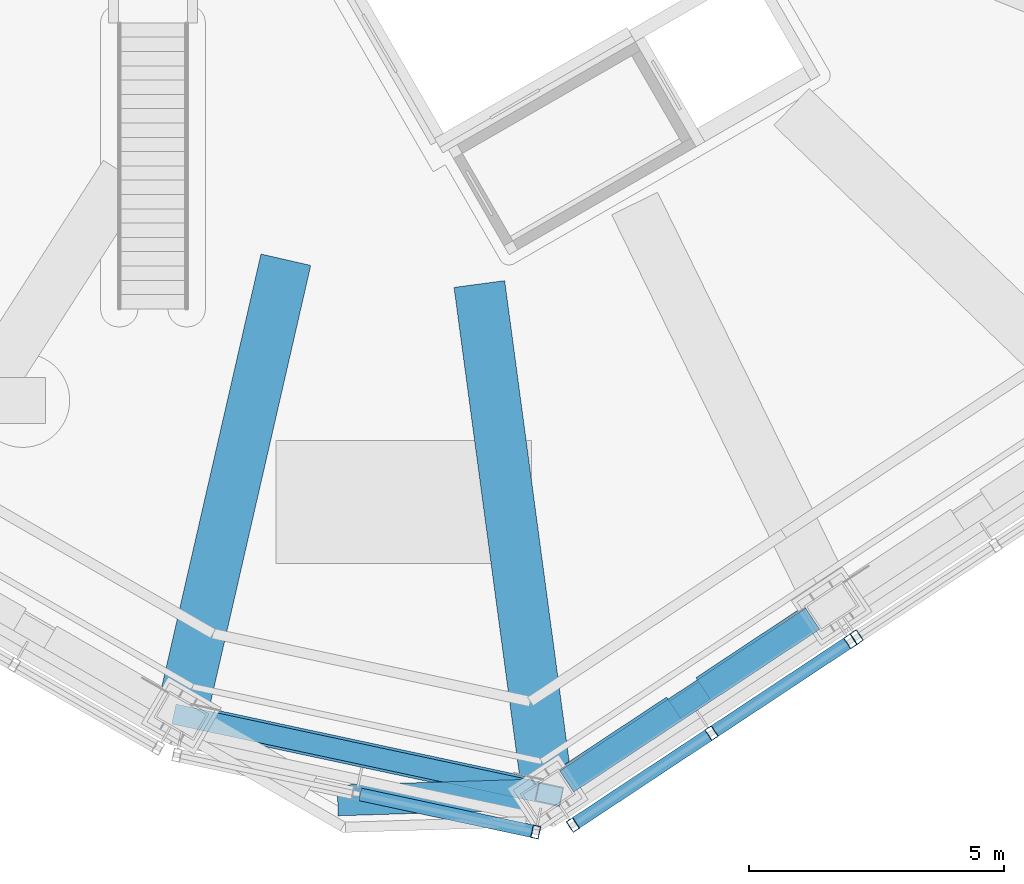
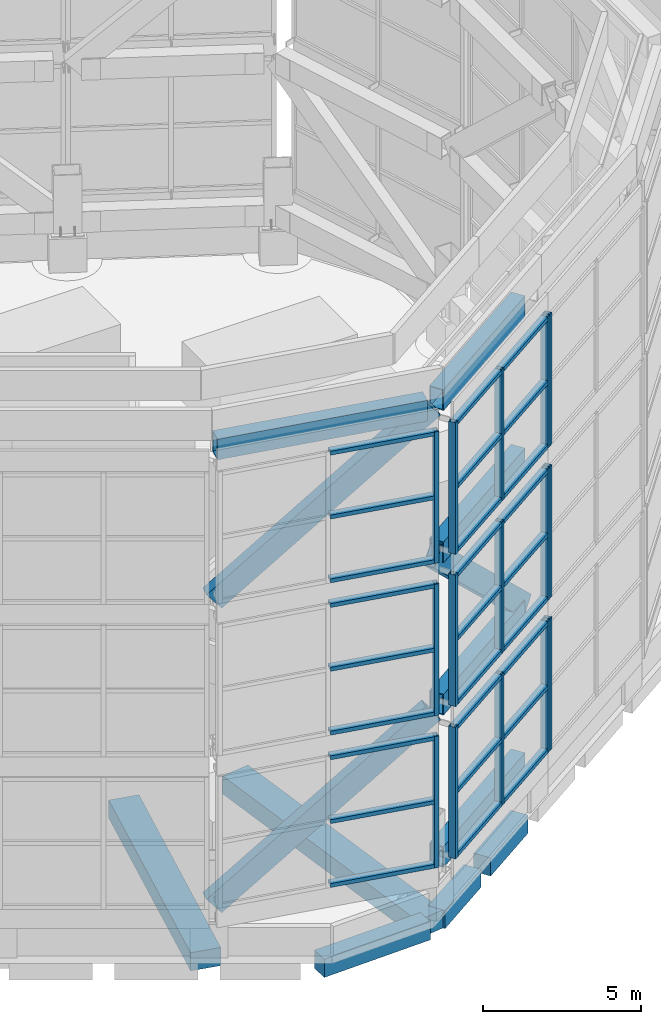
# One storey, part 5 of 46: 50 members, 5 beams, 9 elements without a shape of their own.
"""IFC4 building model written with IfcOpenShell, lengths in metres."""

from ifc_helpers import new_model, si_unit, direction, frame, origin, origin_2d, place, context, subcontext, project, spatial, rectangle, hollow_rectangle, extrude, material, material_profile, profile_set, type_object, element, aggregate, save


model = new_model("IFC4")

# Units and contexts
model_context = context("Model", 3, precision=1e-05, world=origin(), true_north=direction((0.0, 1.0)))
body_context = subcontext(model_context, "Body", "Model", "MODEL_VIEW")
ifc_project = project(units=[si_unit("LENGTHUNIT", "METRE"), si_unit("AREAUNIT", "SQUARE_METRE"), si_unit("VOLUMEUNIT", "CUBIC_METRE"), si_unit("PLANEANGLEUNIT", "RADIAN"), si_unit("MASSUNIT", "GRAM", prefix="KILO")], contexts=[model_context])

# Site, building, storey
site_placement = place(None, origin())
site = spatial("IfcSite", under=ifc_project, at=site_placement, CompositionType="ELEMENT")
building_placement = place(site_placement, origin())
building = spatial("IfcBuilding", under=site, at=building_placement, Name="Vanh Sen Convention Tower", CompositionType="ELEMENT")
storey_placement = place(building_placement, frame((0.0, 0.0, 305.0)))
storey = spatial("IfcBuildingStorey", under=building, at=storey_placement, Name="Roof level", CompositionType="ELEMENT", Elevation=305.0)

# Members
ifc_material_1 = material(Name="Steel S460", Category="steel")
ifc_material_profile_1 = material_profile(ifc_material_1, hollow_rectangle(XDim=0.39990234375, YDim=0.800048828125, WallThickness=0.02490234375, at=origin_2d()), Name="BOX 800X400X25")
ifc_profile_set_1 = profile_set([ifc_material_profile_1], Name="Steel S460")
member_type_1 = type_object("IfcMemberType", Name="Crown brace BOX 800X400X25", PredefinedType="BRACE", material=ifc_profile_set_1)
member_1_placement = place(storey_placement, frame((-4.295166015625, -19.1923828125, 1.7451171875), z_axis=(0.760688911793, -0.162767610572, 0.628378138085), x_axis=(0.209237599591, 0.977864830596, 0.0)))
element("IfcMember", 1, at=member_1_placement, inside=storey, type_object=member_type_1, Name="CROWN FRAME brace tier 1 span 15", PredefinedType="BRACE", context=body_context, shape_type="SweptSolid", body=[
    extrude(hollow_rectangle(XDim=0.39990234375, YDim=0.800048828125, WallThickness=0.02490234375, at=origin_2d()), origin(), (0.0, 0.0, 1.0), 9.338623046875),
])
member_2_placement = place(storey_placement, frame((2.928955078125, -20.606201171875, 13.481689453125), z_axis=(0.610283554508, 0.403916649683, -0.681472907169), x_axis=(-0.551916819716, 0.833899169033, 0.0)))
element("IfcMember", 2, at=member_2_placement, inside=storey, type_object=member_type_1, Name="CROWN FRAME brace tier 2 span 16", PredefinedType="BRACE", context=body_context, shape_type="SweptSolid", body=[
    extrude(hollow_rectangle(XDim=0.39990234375, YDim=0.800048828125, WallThickness=0.02490234375, at=origin_2d()), origin(), (0.0, 0.0, 1.0), 8.611328125),
])
member_3_placement = place(storey_placement, frame((-4.295166015625, -19.1923828125, 13.481689453125), z_axis=(0.760676415381, -0.162764936666, 0.62839395802), x_axis=(0.209237599591, 0.977864830596, 0.0)))
element("IfcMember", 3, at=member_3_placement, inside=storey, type_object=member_type_1, Name="CROWN FRAME brace tier 3 span 15", PredefinedType="BRACE", context=body_context, shape_type="SweptSolid", body=[
    extrude(hollow_rectangle(XDim=0.39990234375, YDim=0.800048828125, WallThickness=0.02490234375, at=origin_2d()), origin(), (0.0, 0.0, 1.0), 9.338623046875),
])
ifc_material_profile_2 = material_profile(ifc_material_1, hollow_rectangle(XDim=0.5, YDim=0.800048828125, WallThickness=0.030029296875, at=origin_2d()), Name="BOX 800X500X30")
ifc_profile_set_2 = profile_set([ifc_material_profile_2], Name="Steel S460")
member_type_2 = type_object("IfcMemberType", Name="Crown ring beam BOX 800X500X30", PredefinedType="CHORD", material=ifc_profile_set_2)
for number, where, z_axis, x_axis, name in (
    (4, (3.1494140625, -20.46044921875, 1.7451171875), (0.833893281338, 0.551925715417, 0.0), (-0.551925715417, 0.833893281338, 0.0), "CROWN FRAME ring beam 1 span 16"),
    (5, (3.1494140625, -20.46044921875, 7.61328125), (0.833893281338, 0.551925715417, 0.0), (-0.551925715417, 0.833893281338, 0.0), "CROWN FRAME ring beam 2 span 16"),
    (6, (3.1494140625, -20.46044921875, 13.481689453125), (0.833893281338, 0.551925715417, 0.0), (-0.551925715417, 0.833893281338, 0.0), "CROWN FRAME ring beam 3 span 16"),
):
    element("IfcMember", number, at=place(storey_placement, frame(where, z_axis=z_axis, x_axis=x_axis)), inside=storey, type_object=member_type_2, Name=name, PredefinedType="CHORD", context=body_context, shape_type="SweptSolid", body=[
        extrude(hollow_rectangle(XDim=0.5, YDim=0.800048828125, WallThickness=0.030029296875, at=origin_2d()), origin(), (0.0, 0.0, 1.0), 5.7734375),
    ])
member_4_placement = place(storey_placement, frame((-4.201904296875, -19.21240234375, 19.35009765625), z_axis=(0.977866457052, -0.209229998263, 0.0), x_axis=(0.209229998263, 0.977866457052, 0.0)))
element("IfcMember", 7, at=member_4_placement, inside=storey, type_object=member_type_2, Name="CROWN FRAME ring beam 4 span 15", PredefinedType="CHORD", context=body_context, shape_type="SweptSolid", body=[
    extrude(hollow_rectangle(XDim=0.5, YDim=0.800048828125, WallThickness=0.030029296875, at=origin_2d()), origin(), (0.0, 0.0, 1.0), 6.968505859375),
])
member_5_placement = place(storey_placement, frame((3.1494140625, -20.46044921875, 19.35009765625), z_axis=(0.833893281338, 0.551925715417, 0.0), x_axis=(-0.551925715417, 0.833893281338, 0.0)))
element("IfcMember", 8, at=member_5_placement, inside=storey, type_object=member_type_2, Name="CROWN FRAME ring beam 4 span 16", PredefinedType="CHORD", context=body_context, shape_type="SweptSolid", body=[
    extrude(hollow_rectangle(XDim=0.5, YDim=0.800048828125, WallThickness=0.030029296875, at=origin_2d()), origin(), (0.0, 0.0, 1.0), 5.7734375),
])

# Curtain wall, member
ifc_material_2 = material(Name="Concrete C60/75", Category="concrete")
curtain_wall_type = type_object("IfcCurtainWallType", Name="Crown screen", PredefinedType="NOTDEFINED", material=ifc_material_2)
curtain_wall_1_placement = place(storey_placement, origin())
curtain_wall_1 = element("IfcCurtainWall", 9, at=curtain_wall_1_placement, inside=storey, type_object=curtain_wall_type, Name="CROWN SCREEN 15 tier 1", PredefinedType="NOTDEFINED")
ifc_material_3 = material(Name="Steel S355", Category="steel")
ifc_material_profile_3 = material_profile(ifc_material_3, hollow_rectangle(XDim=0.25, YDim=0.14990234375, WallThickness=0.008056640625, at=origin_2d()), Name="RHS 250X150X8")
ifc_profile_set_3 = profile_set([ifc_material_profile_3], Name="Steel S355")
member_type_3 = type_object("IfcMemberType", Name="Crown screen mullion RHS 250X150X8", PredefinedType="MULLION", material=ifc_profile_set_3)
member_6_placement = place(storey_placement, frame((2.54296875, -21.447998046875, 2.14501953125), z_axis=(0.0, 0.0, 1.0), x_axis=(0.209235808418, 0.977865213859, 0.0)))
member_6 = element("IfcMember", 10, at=member_6_placement, type_object=member_type_3, Name="CROWN SCREEN6 mullion 3", PredefinedType="MULLION", context=body_context, shape_type="SweptSolid", body=[
    extrude(hollow_rectangle(XDim=0.25, YDim=0.14990234375, WallThickness=0.008056640625, at=origin_2d()), origin(), (0.0, 0.0, 1.0), 5.068359375),
])

curtain_wall_2_placement = place(storey_placement, origin())
curtain_wall_2 = element("IfcCurtainWall", 11, at=curtain_wall_2_placement, inside=storey, type_object=curtain_wall_type, Name="CROWN SCREEN 15 tier 2", PredefinedType="NOTDEFINED")
member_7_placement = place(storey_placement, frame((2.54296875, -21.447998046875, 8.01318359375), z_axis=(0.0, 0.0, 1.0), x_axis=(0.209235808418, 0.977865213859, 0.0)))
member_7 = element("IfcMember", 12, at=member_7_placement, type_object=member_type_3, Name="CROWN SCREEN6 mullion 3", PredefinedType="MULLION", context=body_context, shape_type="SweptSolid", body=[
    extrude(hollow_rectangle(XDim=0.25, YDim=0.14990234375, WallThickness=0.008056640625, at=origin_2d()), origin(), (0.0, 0.0, 1.0), 5.068603515625),
])

curtain_wall_3_placement = place(storey_placement, origin())
curtain_wall_3 = element("IfcCurtainWall", 13, at=curtain_wall_3_placement, inside=storey, type_object=curtain_wall_type, Name="CROWN SCREEN 15 tier 3", PredefinedType="NOTDEFINED")
member_8_placement = place(storey_placement, frame((2.54296875, -21.447998046875, 13.881591796875), z_axis=(0.0, 0.0, 1.0), x_axis=(0.209235808418, 0.977865213859, 0.0)))
member_8 = element("IfcMember", 14, at=member_8_placement, type_object=member_type_3, Name="CROWN SCREEN6 mullion 3", PredefinedType="MULLION", context=body_context, shape_type="SweptSolid", body=[
    extrude(hollow_rectangle(XDim=0.25, YDim=0.14990234375, WallThickness=0.008056640625, at=origin_2d()), origin(), (0.0, 0.0, 1.0), 5.068359375),
])

# Curtain wall, members
curtain_wall_4_placement = place(storey_placement, origin())
curtain_wall_4 = element("IfcCurtainWall", 15, at=curtain_wall_4_placement, inside=storey, type_object=curtain_wall_type, Name="CROWN SCREEN 16 tier 1", PredefinedType="NOTDEFINED")
member_9_placement = place(storey_placement, frame((3.2685546875, -21.310791015625, 2.14501953125), z_axis=(0.0, 0.0, 1.0), x_axis=(-0.551929980776, 0.833890458226, 0.0)))
member_9 = element("IfcMember", 16, at=member_9_placement, type_object=member_type_3, Name="CROWN SCREEN6 mullion 1", PredefinedType="MULLION", context=body_context, shape_type="SweptSolid", body=[
    extrude(hollow_rectangle(XDim=0.25, YDim=0.14990234375, WallThickness=0.008056640625, at=origin_2d()), origin(), (0.0, 0.0, 1.0), 5.068359375),
])
member_10_placement = place(storey_placement, frame((5.984375, -19.513427734375, 2.14501953125), z_axis=(0.0, 0.0, 1.0), x_axis=(-0.551929980776, 0.833890458226, 0.0)))
member_10 = element("IfcMember", 17, at=member_10_placement, type_object=member_type_3, Name="CROWN SCREEN6 mullion 2", PredefinedType="MULLION", context=body_context, shape_type="SweptSolid", body=[
    extrude(hollow_rectangle(XDim=0.25, YDim=0.14990234375, WallThickness=0.008056640625, at=origin_2d()), origin(), (0.0, 0.0, 1.0), 5.068359375),
])
member_11_placement = place(storey_placement, frame((8.699951171875, -17.716064453125, 2.14501953125), z_axis=(0.0, 0.0, 1.0), x_axis=(-0.551929980776, 0.833890458226, 0.0)))
member_11 = element("IfcMember", 18, at=member_11_placement, type_object=member_type_3, Name="CROWN SCREEN6 mullion 3", PredefinedType="MULLION", context=body_context, shape_type="SweptSolid", body=[
    extrude(hollow_rectangle(XDim=0.25, YDim=0.14990234375, WallThickness=0.008056640625, at=origin_2d()), origin(), (0.0, 0.0, 1.0), 5.068359375),
])

curtain_wall_5_placement = place(storey_placement, origin())
curtain_wall_5 = element("IfcCurtainWall", 19, at=curtain_wall_5_placement, inside=storey, type_object=curtain_wall_type, Name="CROWN SCREEN 16 tier 2", PredefinedType="NOTDEFINED")
member_12_placement = place(storey_placement, frame((3.2685546875, -21.310791015625, 8.01318359375), z_axis=(0.0, 0.0, 1.0), x_axis=(-0.551929980776, 0.833890458226, 0.0)))
member_12 = element("IfcMember", 20, at=member_12_placement, type_object=member_type_3, Name="CROWN SCREEN6 mullion 1", PredefinedType="MULLION", context=body_context, shape_type="SweptSolid", body=[
    extrude(hollow_rectangle(XDim=0.25, YDim=0.14990234375, WallThickness=0.008056640625, at=origin_2d()), origin(), (0.0, 0.0, 1.0), 5.068603515625),
])
member_13_placement = place(storey_placement, frame((5.984375, -19.513427734375, 8.01318359375), z_axis=(0.0, 0.0, 1.0), x_axis=(-0.551929980776, 0.833890458226, 0.0)))
member_13 = element("IfcMember", 21, at=member_13_placement, type_object=member_type_3, Name="CROWN SCREEN6 mullion 2", PredefinedType="MULLION", context=body_context, shape_type="SweptSolid", body=[
    extrude(hollow_rectangle(XDim=0.25, YDim=0.14990234375, WallThickness=0.008056640625, at=origin_2d()), origin(), (0.0, 0.0, 1.0), 5.068603515625),
])
member_14_placement = place(storey_placement, frame((8.699951171875, -17.716064453125, 8.01318359375), z_axis=(0.0, 0.0, 1.0), x_axis=(-0.551929980776, 0.833890458226, 0.0)))
member_14 = element("IfcMember", 22, at=member_14_placement, type_object=member_type_3, Name="CROWN SCREEN6 mullion 3", PredefinedType="MULLION", context=body_context, shape_type="SweptSolid", body=[
    extrude(hollow_rectangle(XDim=0.25, YDim=0.14990234375, WallThickness=0.008056640625, at=origin_2d()), origin(), (0.0, 0.0, 1.0), 5.068603515625),
])

curtain_wall_6_placement = place(storey_placement, origin())
curtain_wall_6 = element("IfcCurtainWall", 23, at=curtain_wall_6_placement, inside=storey, type_object=curtain_wall_type, Name="CROWN SCREEN 16 tier 3", PredefinedType="NOTDEFINED")
member_15_placement = place(storey_placement, frame((3.2685546875, -21.310791015625, 13.881591796875), z_axis=(0.0, 0.0, 1.0), x_axis=(-0.551929980776, 0.833890458226, 0.0)))
member_15 = element("IfcMember", 24, at=member_15_placement, type_object=member_type_3, Name="CROWN SCREEN6 mullion 1", PredefinedType="MULLION", context=body_context, shape_type="SweptSolid", body=[
    extrude(hollow_rectangle(XDim=0.25, YDim=0.14990234375, WallThickness=0.008056640625, at=origin_2d()), origin(), (0.0, 0.0, 1.0), 5.068359375),
])
member_16_placement = place(storey_placement, frame((5.984375, -19.513427734375, 13.881591796875), z_axis=(0.0, 0.0, 1.0), x_axis=(-0.551929980776, 0.833890458226, 0.0)))
member_16 = element("IfcMember", 25, at=member_16_placement, type_object=member_type_3, Name="CROWN SCREEN6 mullion 2", PredefinedType="MULLION", context=body_context, shape_type="SweptSolid", body=[
    extrude(hollow_rectangle(XDim=0.25, YDim=0.14990234375, WallThickness=0.008056640625, at=origin_2d()), origin(), (0.0, 0.0, 1.0), 5.068359375),
])
member_17_placement = place(storey_placement, frame((8.699951171875, -17.716064453125, 13.881591796875), z_axis=(0.0, 0.0, 1.0), x_axis=(-0.551929980776, 0.833890458226, 0.0)))
member_17 = element("IfcMember", 26, at=member_17_placement, type_object=member_type_3, Name="CROWN SCREEN6 mullion 3", PredefinedType="MULLION", context=body_context, shape_type="SweptSolid", body=[
    extrude(hollow_rectangle(XDim=0.25, YDim=0.14990234375, WallThickness=0.008056640625, at=origin_2d()), origin(), (0.0, 0.0, 1.0), 5.068359375),
])

# Curtain wall, member
curtain_wall_7_placement = place(storey_placement, origin())
curtain_wall_7 = element("IfcCurtainWall", 27, at=curtain_wall_7_placement, inside=storey, type_object=curtain_wall_type, Name="CROWN SCREEN 17 tier 1", PredefinedType="NOTDEFINED")
member_18_placement = place(storey_placement, frame((8.8251953125, -17.63330078125, 2.14501953125), z_axis=(0.0, 0.0, 1.0), x_axis=(-0.551936888033, 0.833885886455, 0.0)))
member_18 = element("IfcMember", 28, at=member_18_placement, type_object=member_type_3, Name="CROWN SCREEN6 mullion 1", PredefinedType="MULLION", context=body_context, shape_type="SweptSolid", body=[
    extrude(hollow_rectangle(XDim=0.25, YDim=0.14990234375, WallThickness=0.008056640625, at=origin_2d()), origin(), (0.0, 0.0, 1.0), 5.068359375),
])
aggregate(curtain_wall_7, [member_18])

curtain_wall_8_placement = place(storey_placement, origin())
curtain_wall_8 = element("IfcCurtainWall", 29, at=curtain_wall_8_placement, inside=storey, type_object=curtain_wall_type, Name="CROWN SCREEN 17 tier 2", PredefinedType="NOTDEFINED")
member_19_placement = place(storey_placement, frame((8.8251953125, -17.63330078125, 8.01318359375), z_axis=(0.0, 0.0, 1.0), x_axis=(-0.551936888033, 0.833885886455, 0.0)))
member_19 = element("IfcMember", 30, at=member_19_placement, type_object=member_type_3, Name="CROWN SCREEN6 mullion 1", PredefinedType="MULLION", context=body_context, shape_type="SweptSolid", body=[
    extrude(hollow_rectangle(XDim=0.25, YDim=0.14990234375, WallThickness=0.008056640625, at=origin_2d()), origin(), (0.0, 0.0, 1.0), 5.068603515625),
])
aggregate(curtain_wall_8, [member_19])

curtain_wall_9_placement = place(storey_placement, origin())
curtain_wall_9 = element("IfcCurtainWall", 31, at=curtain_wall_9_placement, inside=storey, type_object=curtain_wall_type, Name="CROWN SCREEN 17 tier 3", PredefinedType="NOTDEFINED")
member_20_placement = place(storey_placement, frame((8.8251953125, -17.63330078125, 13.881591796875), z_axis=(0.0, 0.0, 1.0), x_axis=(-0.551936888033, 0.833885886455, 0.0)))
member_20 = element("IfcMember", 32, at=member_20_placement, type_object=member_type_3, Name="CROWN SCREEN6 mullion 1", PredefinedType="MULLION", context=body_context, shape_type="SweptSolid", body=[
    extrude(hollow_rectangle(XDim=0.25, YDim=0.14990234375, WallThickness=0.008056640625, at=origin_2d()), origin(), (0.0, 0.0, 1.0), 5.068359375),
])
aggregate(curtain_wall_9, [member_20])

# Member
ifc_material_profile_4 = material_profile(ifc_material_3, hollow_rectangle(XDim=0.25, YDim=0.14990234375, WallThickness=0.008056640625, at=origin_2d()), Name="RHS 250X150X8")
ifc_profile_set_4 = profile_set([ifc_material_profile_4], Name="Steel S355")
member_type_4 = type_object("IfcMemberType", Name="Crown screen transom RHS 250X150X8", PredefinedType="USERDEFINED", material=ifc_profile_set_4)
member_21_placement = place(storey_placement, frame((-0.89697265625, -20.712158203125, 2.219970703125), z_axis=(0.977871893304, -0.209204589546, 0.0), x_axis=(0.209204589546, 0.977871893304, 0.0)))
member_21 = element("IfcMember", 33, at=member_21_placement, type_object=member_type_4, Name="CROWN SCREEN6 transom 2.1", ObjectType="TRANSOM", PredefinedType="USERDEFINED", context=body_context, shape_type="SweptSolid", body=[
    extrude(hollow_rectangle(XDim=0.25, YDim=0.14990234375, WallThickness=0.008056640625, at=origin_2d()), origin(), (0.0, 0.0, 1.0), 3.442626953125),
])

member_22_placement = place(storey_placement, frame((-0.89697265625, -20.712158203125, 4.67919921875), z_axis=(0.977871893304, -0.209204589546, 0.0), x_axis=(0.209204589546, 0.977871893304, 0.0)))
member_22 = element("IfcMember", 34, at=member_22_placement, type_object=member_type_4, Name="CROWN SCREEN6 transom 2.2", ObjectType="TRANSOM", PredefinedType="USERDEFINED", context=body_context, shape_type="SweptSolid", body=[
    extrude(hollow_rectangle(XDim=0.25, YDim=0.14990234375, WallThickness=0.008056640625, at=origin_2d()), origin(), (0.0, 0.0, 1.0), 3.442626953125),
])

member_23_placement = place(storey_placement, frame((-0.89697265625, -20.712158203125, 7.13818359375), z_axis=(0.977871893304, -0.209204589546, 0.0), x_axis=(0.209204589546, 0.977871893304, 0.0)))
member_23 = element("IfcMember", 35, at=member_23_placement, type_object=member_type_4, Name="CROWN SCREEN6 transom 2.3", ObjectType="TRANSOM", PredefinedType="USERDEFINED", context=body_context, shape_type="SweptSolid", body=[
    extrude(hollow_rectangle(XDim=0.25, YDim=0.14990234375, WallThickness=0.008056640625, at=origin_2d()), origin(), (0.0, 0.0, 1.0), 3.442626953125),
])

aggregate(curtain_wall_1, [member_6, member_21, member_22, member_23])

member_24_placement = place(storey_placement, frame((-0.89697265625, -20.712158203125, 8.08837890625), z_axis=(0.977871893304, -0.209204589546, 0.0), x_axis=(0.209204589546, 0.977871893304, 0.0)))
member_24 = element("IfcMember", 36, at=member_24_placement, type_object=member_type_4, Name="CROWN SCREEN6 transom 2.1", ObjectType="TRANSOM", PredefinedType="USERDEFINED", context=body_context, shape_type="SweptSolid", body=[
    extrude(hollow_rectangle(XDim=0.25, YDim=0.14990234375, WallThickness=0.008056640625, at=origin_2d()), origin(), (0.0, 0.0, 1.0), 3.442626953125),
])

member_25_placement = place(storey_placement, frame((-0.89697265625, -20.712158203125, 10.547607421875), z_axis=(0.977871893304, -0.209204589546, 0.0), x_axis=(0.209204589546, 0.977871893304, 0.0)))
member_25 = element("IfcMember", 37, at=member_25_placement, type_object=member_type_4, Name="CROWN SCREEN6 transom 2.2", ObjectType="TRANSOM", PredefinedType="USERDEFINED", context=body_context, shape_type="SweptSolid", body=[
    extrude(hollow_rectangle(XDim=0.25, YDim=0.14990234375, WallThickness=0.008056640625, at=origin_2d()), origin(), (0.0, 0.0, 1.0), 3.442626953125),
])

member_26_placement = place(storey_placement, frame((-0.89697265625, -20.712158203125, 13.006591796875), z_axis=(0.977871893304, -0.209204589546, 0.0), x_axis=(0.209204589546, 0.977871893304, 0.0)))
member_26 = element("IfcMember", 38, at=member_26_placement, type_object=member_type_4, Name="CROWN SCREEN6 transom 2.3", ObjectType="TRANSOM", PredefinedType="USERDEFINED", context=body_context, shape_type="SweptSolid", body=[
    extrude(hollow_rectangle(XDim=0.25, YDim=0.14990234375, WallThickness=0.008056640625, at=origin_2d()), origin(), (0.0, 0.0, 1.0), 3.442626953125),
])

aggregate(curtain_wall_2, [member_7, member_24, member_25, member_26])

member_27_placement = place(storey_placement, frame((-0.89697265625, -20.712158203125, 13.956787109375), z_axis=(0.977871893304, -0.209204589546, 0.0), x_axis=(0.209204589546, 0.977871893304, 0.0)))
member_27 = element("IfcMember", 39, at=member_27_placement, type_object=member_type_4, Name="CROWN SCREEN6 transom 2.1", ObjectType="TRANSOM", PredefinedType="USERDEFINED", context=body_context, shape_type="SweptSolid", body=[
    extrude(hollow_rectangle(XDim=0.25, YDim=0.14990234375, WallThickness=0.008056640625, at=origin_2d()), origin(), (0.0, 0.0, 1.0), 3.442626953125),
])

member_28_placement = place(storey_placement, frame((-0.89697265625, -20.712158203125, 16.415771484375), z_axis=(0.977871893304, -0.209204589546, 0.0), x_axis=(0.209204589546, 0.977871893304, 0.0)))
member_28 = element("IfcMember", 40, at=member_28_placement, type_object=member_type_4, Name="CROWN SCREEN6 transom 2.2", ObjectType="TRANSOM", PredefinedType="USERDEFINED", context=body_context, shape_type="SweptSolid", body=[
    extrude(hollow_rectangle(XDim=0.25, YDim=0.14990234375, WallThickness=0.008056640625, at=origin_2d()), origin(), (0.0, 0.0, 1.0), 3.442626953125),
])

member_29_placement = place(storey_placement, frame((-0.89697265625, -20.712158203125, 18.875), z_axis=(0.977871893304, -0.209204589546, 0.0), x_axis=(0.209204589546, 0.977871893304, 0.0)))
member_29 = element("IfcMember", 41, at=member_29_placement, type_object=member_type_4, Name="CROWN SCREEN6 transom 2.3", ObjectType="TRANSOM", PredefinedType="USERDEFINED", context=body_context, shape_type="SweptSolid", body=[
    extrude(hollow_rectangle(XDim=0.25, YDim=0.14990234375, WallThickness=0.008056640625, at=origin_2d()), origin(), (0.0, 0.0, 1.0), 3.442626953125),
])

aggregate(curtain_wall_3, [member_8, member_27, member_28, member_29])

member_30_placement = place(storey_placement, frame((3.331298828125, -21.26953125, 2.219970703125), z_axis=(0.833895504345, 0.551922356707, 0.0), x_axis=(-0.551922356707, 0.833895504345, 0.0)))
member_30 = element("IfcMember", 42, at=member_30_placement, type_object=member_type_4, Name="CROWN SCREEN6 transom 1.1", ObjectType="TRANSOM", PredefinedType="USERDEFINED", context=body_context, shape_type="SweptSolid", body=[
    extrude(hollow_rectangle(XDim=0.25, YDim=0.14990234375, WallThickness=0.008056640625, at=origin_2d()), origin(), (0.0, 0.0, 1.0), 3.106689453125),
])

member_31_placement = place(storey_placement, frame((3.331298828125, -21.26953125, 4.67919921875), z_axis=(0.833895504345, 0.551922356707, 0.0), x_axis=(-0.551922356707, 0.833895504345, 0.0)))
member_31 = element("IfcMember", 43, at=member_31_placement, type_object=member_type_4, Name="CROWN SCREEN6 transom 1.2", ObjectType="TRANSOM", PredefinedType="USERDEFINED", context=body_context, shape_type="SweptSolid", body=[
    extrude(hollow_rectangle(XDim=0.25, YDim=0.14990234375, WallThickness=0.008056640625, at=origin_2d()), origin(), (0.0, 0.0, 1.0), 3.106689453125),
])

member_32_placement = place(storey_placement, frame((3.331298828125, -21.26953125, 7.13818359375), z_axis=(0.833895504345, 0.551922356707, 0.0), x_axis=(-0.551922356707, 0.833895504345, 0.0)))
member_32 = element("IfcMember", 44, at=member_32_placement, type_object=member_type_4, Name="CROWN SCREEN6 transom 1.3", ObjectType="TRANSOM", PredefinedType="USERDEFINED", context=body_context, shape_type="SweptSolid", body=[
    extrude(hollow_rectangle(XDim=0.25, YDim=0.14990234375, WallThickness=0.008056640625, at=origin_2d()), origin(), (0.0, 0.0, 1.0), 3.106689453125),
])

member_33_placement = place(storey_placement, frame((6.046875, -19.47216796875, 2.219970703125), z_axis=(0.833859334421, 0.551977001694, 0.0), x_axis=(-0.551977001694, 0.833859334421, 0.0)))
member_33 = element("IfcMember", 45, at=member_33_placement, type_object=member_type_4, Name="CROWN SCREEN6 transom 2.1", ObjectType="TRANSOM", PredefinedType="USERDEFINED", context=body_context, shape_type="SweptSolid", body=[
    extrude(hollow_rectangle(XDim=0.25, YDim=0.14990234375, WallThickness=0.008056640625, at=origin_2d()), origin(), (0.0, 0.0, 1.0), 3.106689453125),
])

member_34_placement = place(storey_placement, frame((6.046875, -19.47216796875, 4.67919921875), z_axis=(0.833859334421, 0.551977001694, 0.0), x_axis=(-0.551977001694, 0.833859334421, 0.0)))
member_34 = element("IfcMember", 46, at=member_34_placement, type_object=member_type_4, Name="CROWN SCREEN6 transom 2.2", ObjectType="TRANSOM", PredefinedType="USERDEFINED", context=body_context, shape_type="SweptSolid", body=[
    extrude(hollow_rectangle(XDim=0.25, YDim=0.14990234375, WallThickness=0.008056640625, at=origin_2d()), origin(), (0.0, 0.0, 1.0), 3.106689453125),
])

member_35_placement = place(storey_placement, frame((6.046875, -19.47216796875, 7.13818359375), z_axis=(0.833859334421, 0.551977001694, 0.0), x_axis=(-0.551977001694, 0.833859334421, 0.0)))
member_35 = element("IfcMember", 47, at=member_35_placement, type_object=member_type_4, Name="CROWN SCREEN6 transom 2.3", ObjectType="TRANSOM", PredefinedType="USERDEFINED", context=body_context, shape_type="SweptSolid", body=[
    extrude(hollow_rectangle(XDim=0.25, YDim=0.14990234375, WallThickness=0.008056640625, at=origin_2d()), origin(), (0.0, 0.0, 1.0), 3.106689453125),
])

aggregate(curtain_wall_4, [member_9, member_10, member_11, member_30, member_31, member_32, member_33, member_34, member_35])

member_36_placement = place(storey_placement, frame((3.331298828125, -21.26953125, 8.08837890625), z_axis=(0.833895504345, 0.551922356707, 0.0), x_axis=(-0.551922356707, 0.833895504345, 0.0)))
member_36 = element("IfcMember", 48, at=member_36_placement, type_object=member_type_4, Name="CROWN SCREEN6 transom 1.1", ObjectType="TRANSOM", PredefinedType="USERDEFINED", context=body_context, shape_type="SweptSolid", body=[
    extrude(hollow_rectangle(XDim=0.25, YDim=0.14990234375, WallThickness=0.008056640625, at=origin_2d()), origin(), (0.0, 0.0, 1.0), 3.106689453125),
])

member_37_placement = place(storey_placement, frame((3.331298828125, -21.26953125, 10.547607421875), z_axis=(0.833895504345, 0.551922356707, 0.0), x_axis=(-0.551922356707, 0.833895504345, 0.0)))
member_37 = element("IfcMember", 49, at=member_37_placement, type_object=member_type_4, Name="CROWN SCREEN6 transom 1.2", ObjectType="TRANSOM", PredefinedType="USERDEFINED", context=body_context, shape_type="SweptSolid", body=[
    extrude(hollow_rectangle(XDim=0.25, YDim=0.14990234375, WallThickness=0.008056640625, at=origin_2d()), origin(), (0.0, 0.0, 1.0), 3.106689453125),
])

member_38_placement = place(storey_placement, frame((3.331298828125, -21.26953125, 13.006591796875), z_axis=(0.833895504345, 0.551922356707, 0.0), x_axis=(-0.551922356707, 0.833895504345, 0.0)))
member_38 = element("IfcMember", 50, at=member_38_placement, type_object=member_type_4, Name="CROWN SCREEN6 transom 1.3", ObjectType="TRANSOM", PredefinedType="USERDEFINED", context=body_context, shape_type="SweptSolid", body=[
    extrude(hollow_rectangle(XDim=0.25, YDim=0.14990234375, WallThickness=0.008056640625, at=origin_2d()), origin(), (0.0, 0.0, 1.0), 3.106689453125),
])

member_39_placement = place(storey_placement, frame((6.046875, -19.47216796875, 8.08837890625), z_axis=(0.833859334421, 0.551977001694, 0.0), x_axis=(-0.551977001694, 0.833859334421, 0.0)))
member_39 = element("IfcMember", 51, at=member_39_placement, type_object=member_type_4, Name="CROWN SCREEN6 transom 2.1", ObjectType="TRANSOM", PredefinedType="USERDEFINED", context=body_context, shape_type="SweptSolid", body=[
    extrude(hollow_rectangle(XDim=0.25, YDim=0.14990234375, WallThickness=0.008056640625, at=origin_2d()), origin(), (0.0, 0.0, 1.0), 3.106689453125),
])

member_40_placement = place(storey_placement, frame((6.046875, -19.47216796875, 10.547607421875), z_axis=(0.833859334421, 0.551977001694, 0.0), x_axis=(-0.551977001694, 0.833859334421, 0.0)))
member_40 = element("IfcMember", 52, at=member_40_placement, type_object=member_type_4, Name="CROWN SCREEN6 transom 2.2", ObjectType="TRANSOM", PredefinedType="USERDEFINED", context=body_context, shape_type="SweptSolid", body=[
    extrude(hollow_rectangle(XDim=0.25, YDim=0.14990234375, WallThickness=0.008056640625, at=origin_2d()), origin(), (0.0, 0.0, 1.0), 3.106689453125),
])

member_41_placement = place(storey_placement, frame((6.046875, -19.47216796875, 13.006591796875), z_axis=(0.833859334421, 0.551977001694, 0.0), x_axis=(-0.551977001694, 0.833859334421, 0.0)))
member_41 = element("IfcMember", 53, at=member_41_placement, type_object=member_type_4, Name="CROWN SCREEN6 transom 2.3", ObjectType="TRANSOM", PredefinedType="USERDEFINED", context=body_context, shape_type="SweptSolid", body=[
    extrude(hollow_rectangle(XDim=0.25, YDim=0.14990234375, WallThickness=0.008056640625, at=origin_2d()), origin(), (0.0, 0.0, 1.0), 3.106689453125),
])

aggregate(curtain_wall_5, [member_12, member_13, member_14, member_36, member_37, member_38, member_39, member_40, member_41])

member_42_placement = place(storey_placement, frame((3.331298828125, -21.26953125, 13.956787109375), z_axis=(0.833895504345, 0.551922356707, 0.0), x_axis=(-0.551922356707, 0.833895504345, 0.0)))
member_42 = element("IfcMember", 54, at=member_42_placement, type_object=member_type_4, Name="CROWN SCREEN6 transom 1.1", ObjectType="TRANSOM", PredefinedType="USERDEFINED", context=body_context, shape_type="SweptSolid", body=[
    extrude(hollow_rectangle(XDim=0.25, YDim=0.14990234375, WallThickness=0.008056640625, at=origin_2d()), origin(), (0.0, 0.0, 1.0), 3.106689453125),
])

member_43_placement = place(storey_placement, frame((3.331298828125, -21.26953125, 16.415771484375), z_axis=(0.833895504345, 0.551922356707, 0.0), x_axis=(-0.551922356707, 0.833895504345, 0.0)))
member_43 = element("IfcMember", 55, at=member_43_placement, type_object=member_type_4, Name="CROWN SCREEN6 transom 1.2", ObjectType="TRANSOM", PredefinedType="USERDEFINED", context=body_context, shape_type="SweptSolid", body=[
    extrude(hollow_rectangle(XDim=0.25, YDim=0.14990234375, WallThickness=0.008056640625, at=origin_2d()), origin(), (0.0, 0.0, 1.0), 3.106689453125),
])

member_44_placement = place(storey_placement, frame((3.331298828125, -21.26953125, 18.875), z_axis=(0.833895504345, 0.551922356707, 0.0), x_axis=(-0.551922356707, 0.833895504345, 0.0)))
member_44 = element("IfcMember", 56, at=member_44_placement, type_object=member_type_4, Name="CROWN SCREEN6 transom 1.3", ObjectType="TRANSOM", PredefinedType="USERDEFINED", context=body_context, shape_type="SweptSolid", body=[
    extrude(hollow_rectangle(XDim=0.25, YDim=0.14990234375, WallThickness=0.008056640625, at=origin_2d()), origin(), (0.0, 0.0, 1.0), 3.106689453125),
])

member_45_placement = place(storey_placement, frame((6.046875, -19.47216796875, 13.956787109375), z_axis=(0.833859334421, 0.551977001694, 0.0), x_axis=(-0.551977001694, 0.833859334421, 0.0)))
member_45 = element("IfcMember", 57, at=member_45_placement, type_object=member_type_4, Name="CROWN SCREEN6 transom 2.1", ObjectType="TRANSOM", PredefinedType="USERDEFINED", context=body_context, shape_type="SweptSolid", body=[
    extrude(hollow_rectangle(XDim=0.25, YDim=0.14990234375, WallThickness=0.008056640625, at=origin_2d()), origin(), (0.0, 0.0, 1.0), 3.106689453125),
])

member_46_placement = place(storey_placement, frame((6.046875, -19.47216796875, 16.415771484375), z_axis=(0.833859334421, 0.551977001694, 0.0), x_axis=(-0.551977001694, 0.833859334421, 0.0)))
member_46 = element("IfcMember", 58, at=member_46_placement, type_object=member_type_4, Name="CROWN SCREEN6 transom 2.2", ObjectType="TRANSOM", PredefinedType="USERDEFINED", context=body_context, shape_type="SweptSolid", body=[
    extrude(hollow_rectangle(XDim=0.25, YDim=0.14990234375, WallThickness=0.008056640625, at=origin_2d()), origin(), (0.0, 0.0, 1.0), 3.106689453125),
])

member_47_placement = place(storey_placement, frame((6.046875, -19.47216796875, 18.875), z_axis=(0.833859334421, 0.551977001694, 0.0), x_axis=(-0.551977001694, 0.833859334421, 0.0)))
member_47 = element("IfcMember", 59, at=member_47_placement, type_object=member_type_4, Name="CROWN SCREEN6 transom 2.3", ObjectType="TRANSOM", PredefinedType="USERDEFINED", context=body_context, shape_type="SweptSolid", body=[
    extrude(hollow_rectangle(XDim=0.25, YDim=0.14990234375, WallThickness=0.008056640625, at=origin_2d()), origin(), (0.0, 0.0, 1.0), 3.106689453125),
])

aggregate(curtain_wall_6, [member_15, member_16, member_17, member_42, member_43, member_44, member_45, member_46, member_47])

# Beams
ifc_material_4 = material(Name="Concrete C50/60", Category="concrete")
ifc_material_profile_5 = material_profile(ifc_material_4, rectangle(XDim=1.0, YDim=0.699951171875, at=origin_2d()), Name="RC 1000X700")
ifc_profile_set_5 = profile_set([ifc_material_profile_5], Name="Concrete C50/60")
beam_type_1 = type_object("IfcBeamType", Name="Radial floor beam 1000 x 700", PredefinedType="BEAM", material=ifc_profile_set_5)
beam_1_placement = place(storey_placement, frame((-4.313720703125, -18.819091796875, -0.64990234375), z_axis=(0.22340967383, 0.974724636828, 0.0), x_axis=(-0.974724636828, 0.22340967383, 0.0)))
element("IfcBeam", 60, at=beam_1_placement, inside=storey, type_object=beam_type_1, Name="Radial beam 15 Roof level", PredefinedType="BEAM", context=body_context, shape_type="SweptSolid", body=[
    extrude(rectangle(XDim=1.0, YDim=0.699951171875, at=origin_2d()), origin(), (0.0, 0.0, 1.0), 8.794921875),
])
beam_2_placement = place(storey_placement, frame((2.779052734375, -20.7109375, -0.64990234375), z_axis=(-0.132995151141, 0.991116688273, 0.0), x_axis=(-0.991116688273, -0.132995151141, 0.0)))
element("IfcBeam", 61, at=beam_2_placement, inside=storey, type_object=beam_type_1, Name="Radial beam 16 Roof level", PredefinedType="BEAM", context=body_context, shape_type="SweptSolid", body=[
    extrude(rectangle(XDim=1.0, YDim=0.699951171875, at=origin_2d()), origin(), (0.0, 0.0, 1.0), 10.078125),
])
ifc_material_profile_6 = material_profile(ifc_material_4, rectangle(XDim=0.60009765625, YDim=0.699951171875, at=origin_2d()), Name="RC 600X700")
ifc_profile_set_6 = profile_set([ifc_material_profile_6], Name="Concrete C50/60")
beam_type_2 = type_object("IfcBeamType", Name="Spandrel beam 600 x 700", PredefinedType="SPANDREL", material=ifc_profile_set_6)
beam_3_placement = place(storey_placement, frame((-1.333984375, -20.83154296875, -0.64990234375), z_axis=(0.999534960322, 0.03049365663, 0.0), x_axis=(-0.03049365663, 0.999534960322, 0.0)))
element("IfcBeam", 62, at=beam_3_placement, inside=storey, type_object=beam_type_2, Name="Spandrel beam 30 Roof level", PredefinedType="SPANDREL", context=body_context, shape_type="SweptSolid", body=[
    extrude(rectangle(XDim=0.60009765625, YDim=0.699951171875, at=origin_2d()), origin(), (0.0, 0.0, 1.0), 3.939208984375),
])
beam_4_placement = place(storey_placement, frame((3.1494140625, -20.46044921875, -0.64990234375), z_axis=(0.833907502564, 0.551904228257, 0.0), x_axis=(-0.551904228257, 0.833907502564, 0.0)))
element("IfcBeam", 63, at=beam_4_placement, inside=storey, type_object=beam_type_2, Name="Spandrel beam 31 Roof level", PredefinedType="SPANDREL", context=body_context, shape_type="SweptSolid", body=[
    extrude(rectangle(XDim=0.60009765625, YDim=0.699951171875, at=origin_2d()), origin(), (0.0, 0.0, 1.0), 2.541748046875),
])
beam_5_placement = place(storey_placement, frame((5.844482421875, -18.6767578125, -0.64990234375), z_axis=(0.83386589331, 0.551967093199, 0.0), x_axis=(-0.551967093199, 0.83386589331, 0.0)))
element("IfcBeam", 64, at=beam_5_placement, inside=storey, type_object=beam_type_2, Name="Spandrel beam 32 Roof level", PredefinedType="SPANDREL", context=body_context, shape_type="SweptSolid", body=[
    extrude(rectangle(XDim=0.60009765625, YDim=0.699951171875, at=origin_2d()), origin(), (0.0, 0.0, 1.0), 2.641357421875),
])

save(model, "model.ifc")
